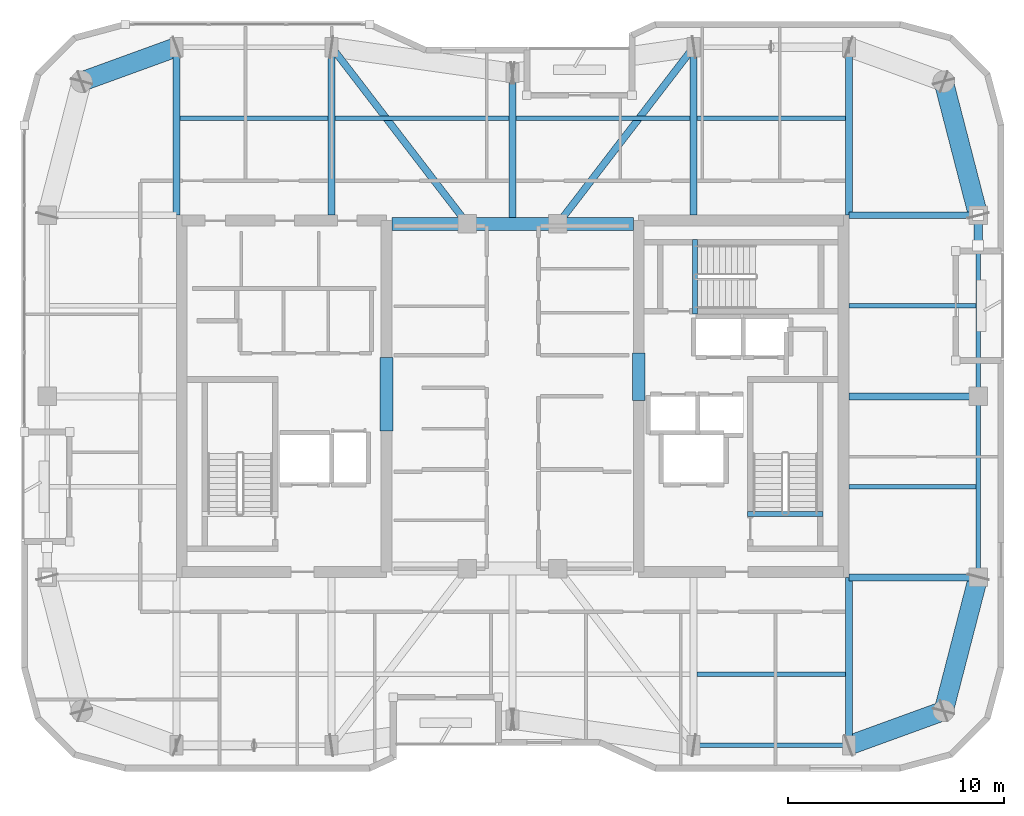
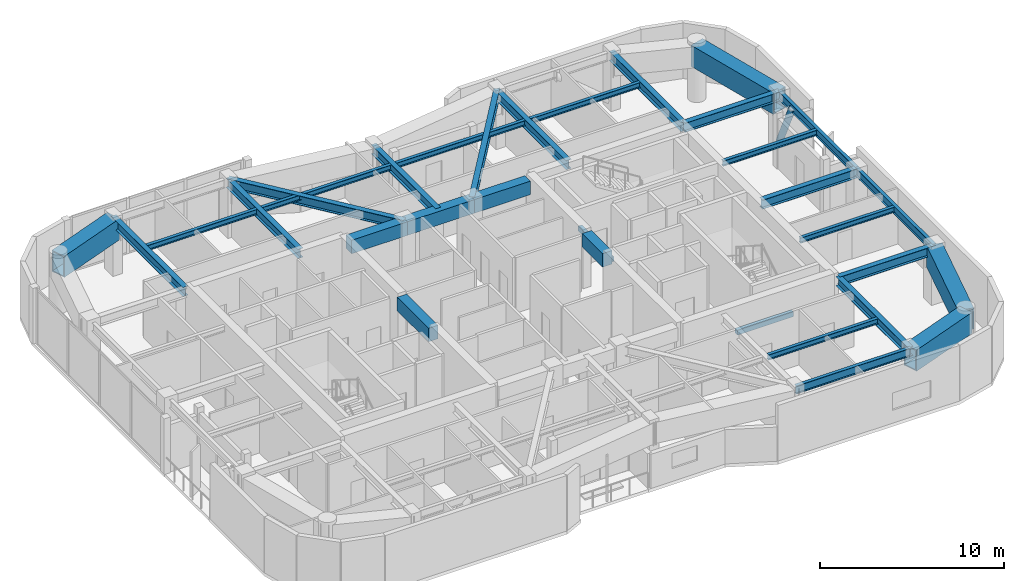
# One storey, part 5 of 16: 32 beams, 1 member.
"""IFC4 building model written with IfcOpenShell, lengths in metres."""

from ifc_helpers import new_model, si_unit, direction, frame, origin, origin_2d, place, context, subcontext, project, spatial, rectangle, hollow_rectangle, hollow_circle, i_section, extrude, material, material_profile, profile_set, type_object, element, save


model = new_model("IFC4")

# Units and contexts
model_context = context("Model", 3, precision=1e-05, world=origin(), true_north=direction((0.0, 1.0)))
body_context = subcontext(model_context, "Body", "Model", "MODEL_VIEW")
ifc_project = project(units=[si_unit("LENGTHUNIT", "METRE"), si_unit("AREAUNIT", "SQUARE_METRE"), si_unit("VOLUMEUNIT", "CUBIC_METRE"), si_unit("PLANEANGLEUNIT", "RADIAN"), si_unit("MASSUNIT", "GRAM", prefix="KILO")], contexts=[model_context])

# Site, building, storey
site_placement = place(None, origin())
site = spatial("IfcSite", under=ifc_project, at=site_placement, CompositionType="ELEMENT")
building_placement = place(site_placement, origin())
building = spatial("IfcBuilding", under=site, at=building_placement, Name="Kiyonajd Concourse Tower", CompositionType="ELEMENT")
storey_placement = place(building_placement, frame((0.0, 0.0, 310.199951171875)))
storey = spatial("IfcBuildingStorey", under=building, at=storey_placement, Name="L78", CompositionType="ELEMENT", Elevation=310.199951171875)

# Beams
ifc_material_1 = material(Name="Concrete C60/75", Category="concrete")
ifc_material_profile_1 = material_profile(ifc_material_1, rectangle(XDim=0.60009765625, YDim=0.89990234375, at=origin_2d()), Name="RCBM-600x900")
ifc_profile_set_1 = profile_set([ifc_material_profile_1], Name="Concrete C60/75")
beam_type_1 = type_object("IfcBeamType", Name="BM-COUP-900", PredefinedType="LINTEL", material=ifc_profile_set_1)
beam_1_placement = place(storey_placement, frame((42.39990234375, 44.0, 3.22998046875), z_axis=(1.0, 0.0, 0.0), x_axis=(0.0, 1.0, 0.0)))
element("IfcBeam", 1, at=beam_1_placement, inside=storey, type_object=beam_type_1, Name="L78 Core Coupling Beam N1", PredefinedType="LINTEL", context=body_context, shape_type="SweptSolid", body=[
    extrude(rectangle(XDim=0.60009765625, YDim=0.89990234375, at=origin_2d()), origin(), (0.0, 0.0, 1.0), 3.5),
])
beam_2_placement = place(storey_placement, frame((45.89990234375, 44.0, 3.22998046875), z_axis=(1.0, 0.0, 0.0), x_axis=(0.0, 1.0, 0.0)))
element("IfcBeam", 2, at=beam_2_placement, inside=storey, type_object=beam_type_1, Name="L78 Core Coupling Beam N2", PredefinedType="LINTEL", context=body_context, shape_type="SweptSolid", body=[
    extrude(rectangle(XDim=0.60009765625, YDim=0.89990234375, at=origin_2d()), origin(), (0.0, 0.0, 1.0), 4.2001953125),
])
beam_3_placement = place(storey_placement, frame((50.10009765625, 44.0, 3.22998046875), z_axis=(1.0, 0.0, 0.0), x_axis=(0.0, 1.0, 0.0)))
element("IfcBeam", 3, at=beam_3_placement, inside=storey, type_object=beam_type_1, Name="L78 Core Coupling Beam N3", PredefinedType="LINTEL", context=body_context, shape_type="SweptSolid", body=[
    extrude(rectangle(XDim=0.60009765625, YDim=0.89990234375, at=origin_2d()), origin(), (0.0, 0.0, 1.0), 3.5),
])
beam_4_placement = place(storey_placement, frame((42.14990234375, 34.39990234375, 3.22998046875), z_axis=(0.0, 1.0, 0.0), x_axis=(-1.0, 0.0, 0.0)))
element("IfcBeam", 4, at=beam_4_placement, inside=storey, type_object=beam_type_1, Name="L78 West Core Throat Coupling Lintel", PredefinedType="LINTEL", context=body_context, shape_type="SweptSolid", body=[
    extrude(rectangle(XDim=0.60009765625, YDim=0.89990234375, at=origin_2d()), origin(), (0.0, 0.0, 1.0), 3.400146484375),
])
beam_5_placement = place(storey_placement, frame((53.85009765625, 35.800048828125, 3.22998046875), z_axis=(0.0, 1.0, 0.0), x_axis=(-1.0, 0.0, 0.0)))
element("IfcBeam", 5, at=beam_5_placement, inside=storey, type_object=beam_type_1, Name="L78 East Core Throat Coupling Lintel", PredefinedType="LINTEL", context=body_context, shape_type="SweptSolid", body=[
    extrude(rectangle(XDim=0.60009765625, YDim=0.89990234375, at=origin_2d()), origin(), (0.0, 0.0, 1.0), 2.199951171875),
])
ifc_material_2 = material(Name="Steel ASTM A992 Grade 50", Category="steel")
ifc_material_profile_2 = material_profile(ifc_material_2, i_section(OverallWidth=0.205078125, OverallDepth=0.35400390625, WebThickness=0.009521484375, FlangeThickness=0.016845703125, at=origin_2d()), Name="W360X79")
ifc_profile_set_2 = profile_set([ifc_material_profile_2], Name="Steel ASTM A992 Grade 50")
beam_type_2 = type_object("IfcBeamType", Name="BM-JST-360", PredefinedType="JOIST", material=ifc_profile_set_2)
for number, where, z_axis, x_axis, name in (
    (6, (56.56201171875, 23.10009765625, 3.5029296875), (1.0, 0.0, 0.0), (0.0, 1.0, 0.0), "L78 Secondary Floor Joist"),
    (7, (32.56201171875, 48.89990234375, 3.5029296875), (1.0, 0.0, 0.0), (0.0, 1.0, 0.0), "L78 Secondary Floor Joist"),
):
    element("IfcBeam", number, at=place(storey_placement, frame(where, z_axis=z_axis, x_axis=x_axis)), inside=storey, type_object=beam_type_2, Name=name, PredefinedType="JOIST", context=body_context, shape_type="SweptSolid", body=[
        extrude(i_section(OverallWidth=0.205078125, OverallDepth=0.35400390625, WebThickness=0.009521484375, FlangeThickness=0.016845703125, at=origin_2d()), origin(), (0.0, 0.0, 1.0), 6.8759765625),
    ])
for number, where, z_axis, x_axis, name in (
    (8, (39.761962890625, 48.89990234375, 3.5029296875), (1.0, 0.0, 0.0), (0.0, 1.0, 0.0), "L78 Secondary Floor Joist"),
    (9, (48.162109375, 48.89990234375, 3.5029296875), (1.0, 0.0, 0.0), (0.0, 1.0, 0.0), "L78 Secondary Floor Joist"),
):
    element("IfcBeam", number, at=place(storey_placement, frame(where, z_axis=z_axis, x_axis=x_axis)), inside=storey, type_object=beam_type_2, Name=name, PredefinedType="JOIST", context=body_context, shape_type="SweptSolid", body=[
        extrude(i_section(OverallWidth=0.205078125, OverallDepth=0.35400390625, WebThickness=0.009521484375, FlangeThickness=0.016845703125, at=origin_2d()), origin(), (0.0, 0.0, 1.0), 8.075927734375),
    ])
beam_6_placement = place(storey_placement, frame((56.56201171875, 48.89990234375, 3.5029296875), z_axis=(1.0, 0.0, 0.0), x_axis=(0.0, 1.0, 0.0)))
element("IfcBeam", 10, at=beam_6_placement, inside=storey, type_object=beam_type_2, Name="L78 Secondary Floor Joist", PredefinedType="JOIST", context=body_context, shape_type="SweptSolid", body=[
    extrude(i_section(OverallWidth=0.205078125, OverallDepth=0.35400390625, WebThickness=0.009521484375, FlangeThickness=0.016845703125, at=origin_2d()), origin(), (0.0, 0.0, 1.0), 6.8759765625),
])
for number, where, z_axis, x_axis, name in (
    (11, (63.60009765625, 31.800048828125, 3.5029296875), (1.0, 0.0, 0.0), (0.0, 1.0, 0.0), "L78 East Secondary Floor Joist"),
    (12, (63.60009765625, 40.199951171875, 3.5029296875), (1.0, 0.0, 0.0), (0.0, 1.0, 0.0), "L78 East Secondary Floor Joist"),
):
    element("IfcBeam", number, at=place(storey_placement, frame(where, z_axis=z_axis, x_axis=x_axis)), inside=storey, type_object=beam_type_2, Name=name, PredefinedType="JOIST", context=body_context, shape_type="SweptSolid", body=[
        extrude(i_section(OverallWidth=0.205078125, OverallDepth=0.35400390625, WebThickness=0.009521484375, FlangeThickness=0.016845703125, at=origin_2d()), origin(), (0.0, 0.0, 1.0), 5.894287109375),
    ])
ifc_material_3 = material(Name="Concrete C50/60", Category="concrete")
ifc_material_profile_3 = material_profile(ifc_material_3, rectangle(XDim=0.239990234375, YDim=0.320068359375, at=origin_2d()), Name="RCBM-240x320")
ifc_profile_set_3 = profile_set([ifc_material_profile_3], Name="Concrete C50/60")
beam_type_3 = type_object("IfcBeamType", Name="BM-LNT-250", PredefinedType="LINTEL", material=ifc_profile_set_3)
beam_7_placement = place(storey_placement, frame((58.889892578125, 30.530029296875, -0.159912109375), z_axis=(1.0, 0.0, 0.0), x_axis=(0.0, 1.0, 0.0)))
element("IfcBeam", 13, at=beam_7_placement, inside=storey, type_object=beam_type_3, Name="L78 Stair ST2 Threshold Support Beam", PredefinedType="LINTEL", context=body_context, shape_type="SweptSolid", body=[
    extrude(rectangle(XDim=0.239990234375, YDim=0.320068359375, at=origin_2d()), origin(), (0.0, 0.0, 1.0), 3.52001953125),
])
beam_8_placement = place(storey_placement, frame((56.4599609375, 39.820068359375, -0.159912109375), z_axis=(0.0, 1.0, 0.0), x_axis=(-1.0, 0.0, 0.0)))
element("IfcBeam", 14, at=beam_8_placement, inside=storey, type_object=beam_type_3, Name="L78 Stair ST3 Threshold Support Beam", PredefinedType="LINTEL", context=body_context, shape_type="SweptSolid", body=[
    extrude(rectangle(XDim=0.239990234375, YDim=0.320068359375, at=origin_2d()), origin(), (0.0, 0.0, 1.0), 3.4599609375),
])
ifc_material_profile_4 = material_profile(ifc_material_2, i_section(OverallWidth=0.2109375, OverallDepth=0.5390625, WebThickness=0.01171875, FlangeThickness=0.018798828125, at=origin_2d()), Name="W530X109")
ifc_profile_set_4 = profile_set([ifc_material_profile_4], Name="Steel ASTM A992 Grade 50")
beam_type_4 = type_object("IfcBeamType", Name="BM-SPAN-530B", PredefinedType="SPANDREL", material=ifc_profile_set_4)
beam_9_placement = place(storey_placement, frame((56.39990234375, 19.800048828125, 3.41064453125), z_axis=(1.0, 0.0, 0.0), x_axis=(0.0, 1.0, 0.0)))
element("IfcBeam", 15, at=beam_9_placement, inside=storey, type_object=beam_type_4, Name="L78 Perimeter Bundled Tube Spandrel", PredefinedType="SPANDREL", context=body_context, shape_type="SweptSolid", body=[
    extrude(i_section(OverallWidth=0.2109375, OverallDepth=0.5390625, WebThickness=0.01171875, FlangeThickness=0.018798828125, at=origin_2d()), origin(), (0.0, 0.0, 1.0), 7.2001953125),
])
for number, where, z_axis, x_axis, name in (
    (16, (69.60009765625, 27.60009765625, 3.41064453125), (0.0, 1.0, 0.0), (-1.0, 0.0, 0.0), "L78 Perimeter Bundled Tube Spandrel"),
    (17, (69.60009765625, 36.0, 3.41064453125), (0.0, 1.0, 0.0), (-1.0, 0.0, 0.0), "L78 Perimeter Bundled Tube Spandrel"),
):
    element("IfcBeam", number, at=place(storey_placement, frame(where, z_axis=z_axis, x_axis=x_axis)), inside=storey, type_object=beam_type_4, Name=name, PredefinedType="SPANDREL", context=body_context, shape_type="SweptSolid", body=[
        extrude(i_section(OverallWidth=0.2109375, OverallDepth=0.5390625, WebThickness=0.01171875, FlangeThickness=0.018798828125, at=origin_2d()), origin(), (0.0, 0.0, 1.0), 8.39990234375),
    ])
ifc_material_profile_5 = material_profile(ifc_material_2, i_section(OverallWidth=0.326904296875, OverallDepth=0.6220703125, WebThickness=0.015380859375, FlangeThickness=0.0244140625, at=origin_2d()), Name="W610X195")
ifc_profile_set_5 = profile_set([ifc_material_profile_5], Name="Steel ASTM A992 Grade 50")
beam_type_5 = type_object("IfcBeamType", Name="BM-TWR-610A", PredefinedType="BEAM", material=ifc_profile_set_5)
for number, where, z_axis, x_axis, name in (
    (18, (39.60009765625, 52.199951171875, 3.369140625), (0.609233709922, -0.792990722956, 0.0), (0.792990722956, 0.609233709922, 0.0), "L78 Core Tie Girder"),
    (19, (50.10009765625, 44.0, 3.369140625), (0.609233709922, 0.792990722956, 0.0), (-0.792990722956, 0.609233709922, 0.0), "L78 Core Tie Girder"),
):
    element("IfcBeam", number, at=place(storey_placement, frame(where, z_axis=z_axis, x_axis=x_axis)), inside=storey, type_object=beam_type_5, Name=name, PredefinedType="BEAM", context=body_context, shape_type="SweptSolid", body=[
        extrude(i_section(OverallWidth=0.326904296875, OverallDepth=0.6220703125, WebThickness=0.015380859375, FlangeThickness=0.0244140625, at=origin_2d()), origin(), (0.0, 0.0, 1.0), 10.340576171875),
    ])
ifc_material_profile_6 = material_profile(ifc_material_2, i_section(OverallWidth=0.323974609375, OverallDepth=0.611083984375, WebThickness=0.0126953125, FlangeThickness=0.01904296875, at=origin_2d()), Name="W610X155")
ifc_profile_set_6 = profile_set([ifc_material_profile_6], Name="Steel ASTM A992 Grade 50")
beam_type_6 = type_object("IfcBeamType", Name="BM-TWR-610B", PredefinedType="BEAM", material=ifc_profile_set_6)
for number, where, z_axis, x_axis, name in (
    (20, (32.39990234375, 44.39990234375, 3.37451171875), (0.0, 1.0, 0.0), (-1.0, 0.0, 0.0), "L78 North Lease Girder"),
    (21, (39.60009765625, 44.39990234375, 3.37451171875), (0.0, 1.0, 0.0), (-1.0, 0.0, 0.0), "L78 North Lease Girder"),
    (22, (56.39990234375, 44.39990234375, 3.37451171875), (0.0, 1.0, 0.0), (-1.0, 0.0, 0.0), "L78 North Lease Girder"),
    (23, (63.60009765625, 19.800048828125, 3.37451171875), (0.0, 1.0, 0.0), (-1.0, 0.0, 0.0), "L78 South Lease Girder"),
    (24, (63.60009765625, 44.39990234375, 3.37451171875), (0.0, 1.0, 0.0), (-1.0, 0.0, 0.0), "L78 North Lease Girder"),
):
    element("IfcBeam", number, at=place(storey_placement, frame(where, z_axis=z_axis, x_axis=x_axis)), inside=storey, type_object=beam_type_6, Name=name, PredefinedType="BEAM", context=body_context, shape_type="SweptSolid", body=[
        extrude(i_section(OverallWidth=0.323974609375, OverallDepth=0.611083984375, WebThickness=0.0126953125, FlangeThickness=0.01904296875, at=origin_2d()), origin(), (0.0, 0.0, 1.0), 7.800048828125),
    ])
beam_10_placement = place(storey_placement, frame((48.0, 44.0, 3.37451171875), z_axis=(0.0, 1.0, 0.0), x_axis=(-1.0, 0.0, 0.0)))
element("IfcBeam", 25, at=beam_10_placement, inside=storey, type_object=beam_type_6, Name="L78 North Ribbon Girder", PredefinedType="BEAM", context=body_context, shape_type="SweptSolid", body=[
    extrude(i_section(OverallWidth=0.323974609375, OverallDepth=0.611083984375, WebThickness=0.0126953125, FlangeThickness=0.01904296875, at=origin_2d()), origin(), (0.0, 0.0, 1.0), 7.0),
])
for number, where, z_axis, x_axis, name in (
    (26, (63.60009765625, 27.60009765625, 3.37451171875), (1.0, 0.0, 0.0), (0.0, 1.0, 0.0), "L78 East Lease Girder"),
    (27, (63.60009765625, 36.0, 3.37451171875), (1.0, 0.0, 0.0), (0.0, 1.0, 0.0), "L78 East Lease Girder"),
    (28, (63.60009765625, 44.39990234375, 3.37451171875), (1.0, 0.0, 0.0), (0.0, 1.0, 0.0), "L78 East Lease Girder"),
):
    element("IfcBeam", number, at=place(storey_placement, frame(where, z_axis=z_axis, x_axis=x_axis)), inside=storey, type_object=beam_type_6, Name=name, PredefinedType="BEAM", context=body_context, shape_type="SweptSolid", body=[
        extrude(i_section(OverallWidth=0.323974609375, OverallDepth=0.611083984375, WebThickness=0.0126953125, FlangeThickness=0.01904296875, at=origin_2d()), origin(), (0.0, 0.0, 1.0), 6.0),
    ])
ifc_material_4 = material(Name="Steel ASTM A572 Grade 50", Category="steel")
ifc_material_profile_7 = material_profile(ifc_material_4, hollow_rectangle(XDim=0.89990234375, YDim=1.39990234375, WallThickness=0.070068359375, at=origin_2d()), Name="BOX-1400x900x70")
ifc_profile_set_7 = profile_set([ifc_material_profile_7], Name="Steel ASTM A572 Grade 50")
beam_type_7 = type_object("IfcBeamType", Name="BM-XFER-1400", PredefinedType="BEAM", material=ifc_profile_set_7)
beam_11_placement = place(storey_placement, frame((63.60009765625, 19.800048828125, 2.97998046875), z_axis=(0.939801036019, 0.341722127901, 0.0), x_axis=(-0.341722127901, 0.939801036019, 0.0)))
element("IfcBeam", 29, at=beam_11_placement, inside=storey, type_object=beam_type_7, Name="L78 Perimeter Bundled Tube Spandrel", PredefinedType="BEAM", context=body_context, shape_type="SweptSolid", body=[
    extrude(hollow_rectangle(XDim=0.89990234375, YDim=1.39990234375, WallThickness=0.070068359375, at=origin_2d()), origin(), (0.0, 0.0, 1.0), 4.681640625),
])
for number, where, z_axis, x_axis, name in (
    (30, (68.0, 21.39990234375, 2.97998046875), (0.249884937687, 0.968275538221, 0.0), (-0.968275538221, 0.249884937687, 0.0), "L78 Perimeter Bundled Tube Spandrel"),
    (31, (69.60009765625, 44.39990234375, 2.97998046875), (-0.249884937687, 0.968275538221, 0.0), (-0.968275538221, -0.249884937687, 0.0), "L78 Perimeter Bundled Tube Spandrel"),
):
    element("IfcBeam", number, at=place(storey_placement, frame(where, z_axis=z_axis, x_axis=x_axis)), inside=storey, type_object=beam_type_7, Name=name, PredefinedType="BEAM", context=body_context, shape_type="SweptSolid", body=[
        extrude(hollow_rectangle(XDim=0.89990234375, YDim=1.39990234375, WallThickness=0.070068359375, at=origin_2d()), origin(), (0.0, 0.0, 1.0), 6.4033203125),
    ])
beam_12_placement = place(storey_placement, frame((32.39990234375, 52.199951171875, 2.97998046875), z_axis=(-0.939801036019, -0.341722127901, 0.0), x_axis=(0.341722127901, -0.939801036019, 0.0)))
element("IfcBeam", 32, at=beam_12_placement, inside=storey, type_object=beam_type_7, Name="L78 Perimeter Bundled Tube Spandrel", PredefinedType="BEAM", context=body_context, shape_type="SweptSolid", body=[
    extrude(hollow_rectangle(XDim=0.89990234375, YDim=1.39990234375, WallThickness=0.070068359375, at=origin_2d()), origin(), (0.0, 0.0, 1.0), 4.681640625),
])

# Member
ifc_material_5 = material(Name="Steel ASTM A500 Grade C", Category="steel")
ifc_material_profile_8 = material_profile(ifc_material_5, hollow_circle(Radius=0.202880859375, WallThickness=0.01904296875, at=origin_2d()), Name="CHS-406x19")
ifc_profile_set_8 = profile_set([ifc_material_profile_8], Name="Steel ASTM A500 Grade C")
member_type = type_object("IfcMemberType", Name="MB-PB-HIGH", PredefinedType="BRACE", material=ifc_profile_set_8)
member_placement = place(storey_placement, frame((69.60009765625, 44.39990234375, 0.300048828125), z_axis=(0.0, -0.419410666774, 0.907796614114), x_axis=(1.0, 0.0, 0.0)))
element("IfcMember", 33, at=member_placement, inside=storey, type_object=member_type, Name="L78 Upper Zone Hollow Tube Brace PBE", PredefinedType="BRACE", context=body_context, shape_type="SweptSolid", body=[
    extrude(hollow_circle(Radius=0.202880859375, WallThickness=0.01904296875, at=origin_2d()), origin(), (0.0, 0.0, 1.0), 3.337890625),
])

save(model, "model.ifc")
